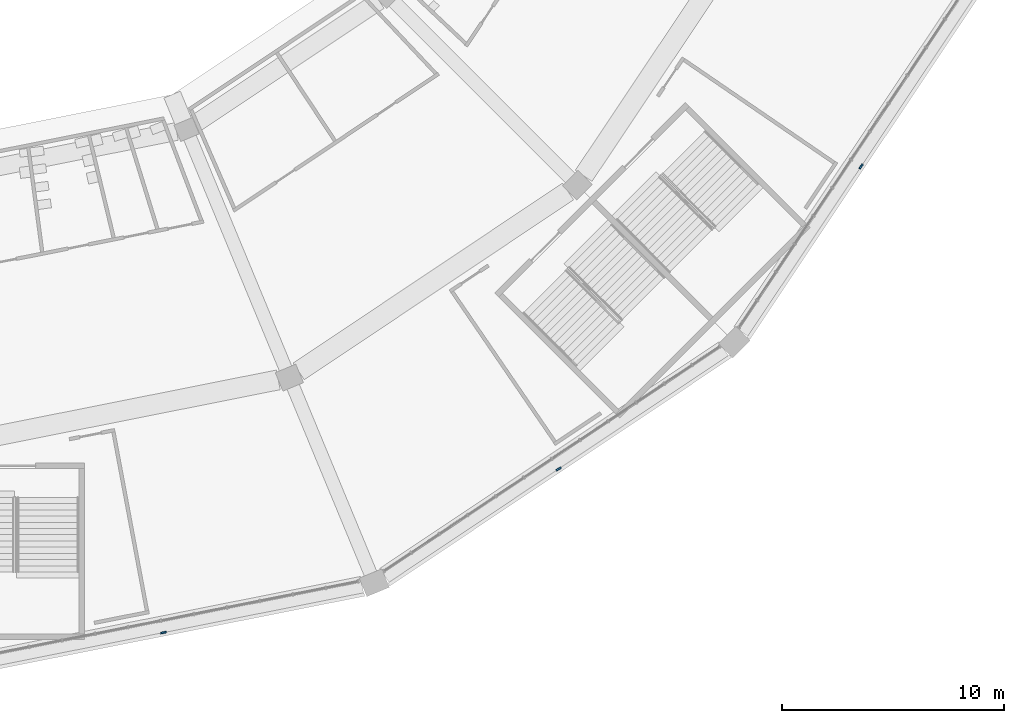
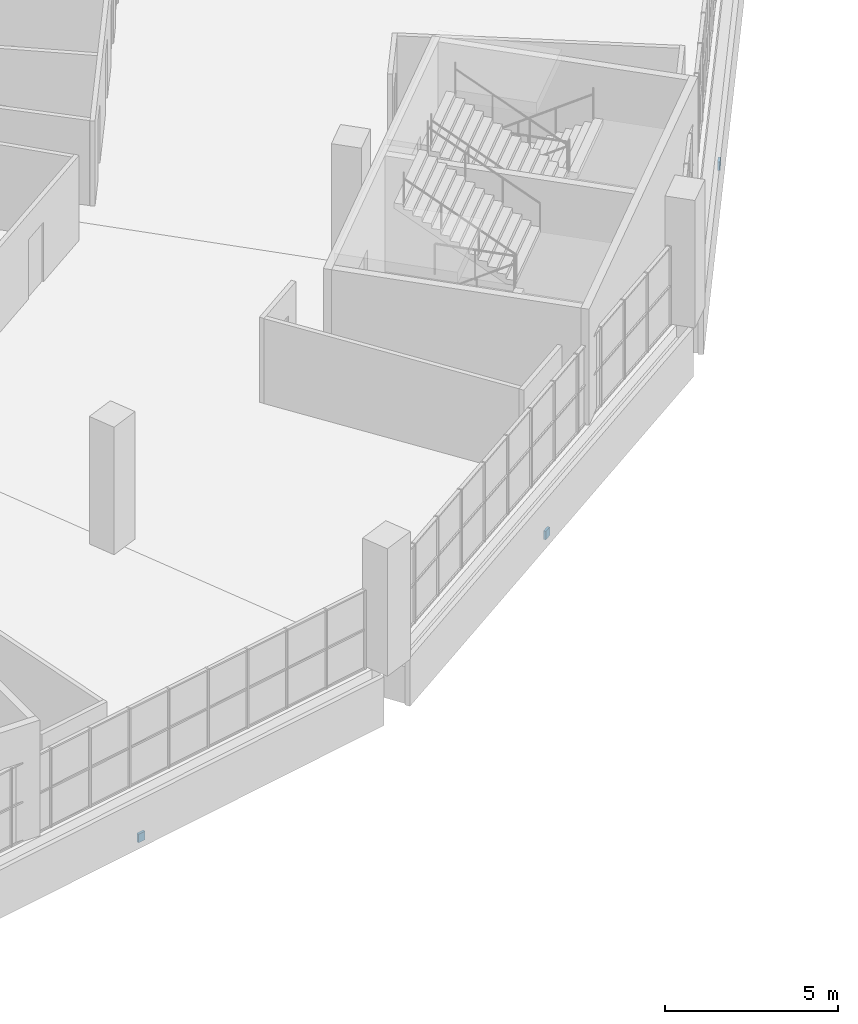
# One storey, part 96 of 199: 3 discrete accessories.
"""IFC4 building model written with IfcOpenShell, lengths in metres."""

from ifc_helpers import new_model, si_unit, direction, frame, origin, origin_2d, place, context, subcontext, project, spatial, rectangle, extrude, material, layer, layer_set, type_object, element, save


model = new_model("IFC4")

# Units and contexts
model_context = context("Model", 3, precision=1e-05, world=origin(), true_north=direction((0.0, 1.0)))
body_context = subcontext(model_context, "Body", "Model", "MODEL_VIEW")
ifc_project = project(units=[si_unit("LENGTHUNIT", "METRE"), si_unit("AREAUNIT", "SQUARE_METRE"), si_unit("VOLUMEUNIT", "CUBIC_METRE"), si_unit("PLANEANGLEUNIT", "RADIAN"), si_unit("MASSUNIT", "GRAM", prefix="KILO")], contexts=[model_context])

# Site, building, storey
site_placement = place(None, origin())
site = spatial("IfcSite", under=ifc_project, at=site_placement, CompositionType="ELEMENT")
building_placement = place(site_placement, origin())
building = spatial("IfcBuilding", under=site, at=building_placement, Name="Ogive Plaza Stadium", CompositionType="ELEMENT")
storey_placement = place(building_placement, frame((0.0, 0.0, 4.5)))
storey = spatial("IfcBuildingStorey", under=building, at=storey_placement, Name="L01", CompositionType="ELEMENT", Elevation=4.5)

# Discrete accessories
ifc_material = material(Name="Steel ASTM A572 Grade 50", Category="steel")
ifc_layer = layer(ifc_material, 0.080078125)
ifc_layer_set = layer_set([ifc_layer], Name="Steel ASTM A572 Grade 50")
discrete_accessory_type = type_object("IfcDiscreteAccessoryType", Name="Spandrel cladding bracket 250x300", PredefinedType="BRACKET", material=ifc_layer_set)
for number, where, z_axis, x_axis, name in (
    (1, (75.065673828125, -79.939208984375, -1.60986328125), (0.0, 0.0, 1.0), (-0.555570233005, -0.831469612312, 0.0), "SPANDREL BRACKET B09 L01"),
    (2, (61.439208984375, -93.565673828125, -1.60986328125), (0.0, 0.0, 1.0), (-0.831469612312, -0.555570233005, 0.0), "SPANDREL BRACKET B10 L01"),
    (3, (43.635498046875, -100.940185546875, -1.60986328125), (0.0, 0.0, 1.0), (-0.980785280403, -0.195090322016, 0.0), "SPANDREL BRACKET B11 L01"),
):
    element("IfcDiscreteAccessory", number, at=place(storey_placement, frame(where, z_axis=z_axis, x_axis=x_axis)), inside=storey, type_object=discrete_accessory_type, Name=name, PredefinedType="BRACKET", context=body_context, shape_type="SweptSolid", body=[
        extrude(rectangle(XDim=0.25, YDim=0.080078125, at=origin_2d()), origin(), (0.0, 0.0, 1.0), 0.300048828125),
    ])

save(model, "model.ifc")
